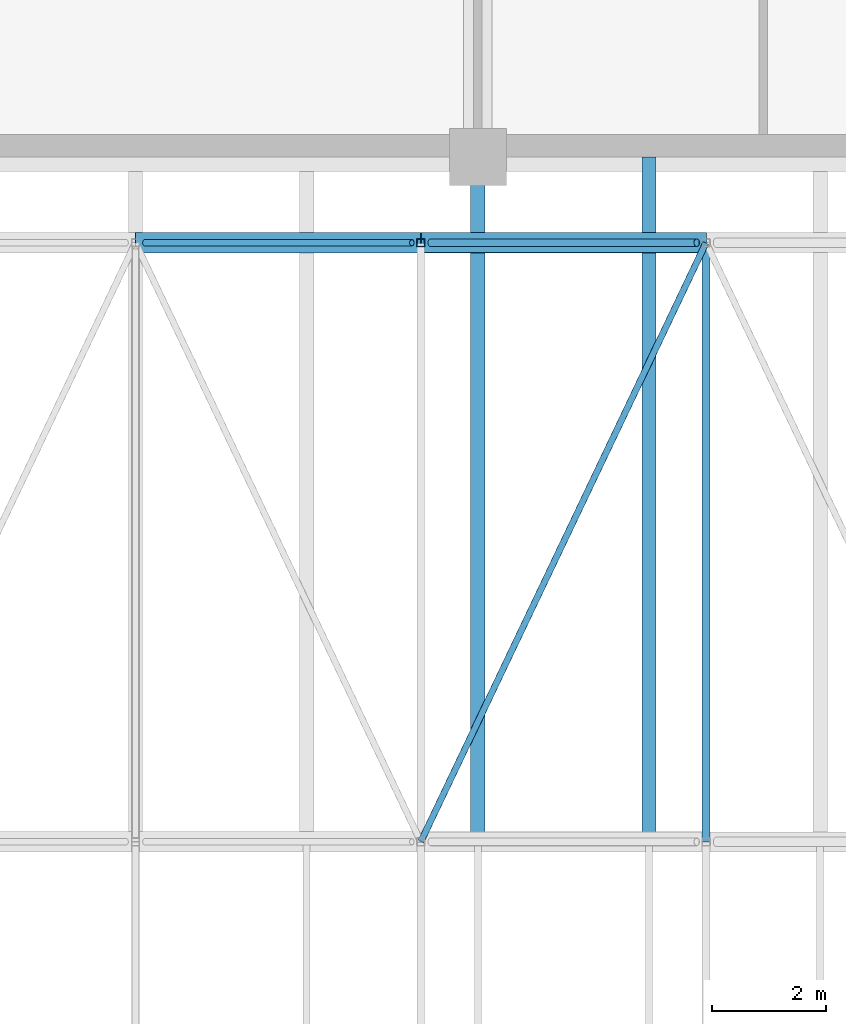
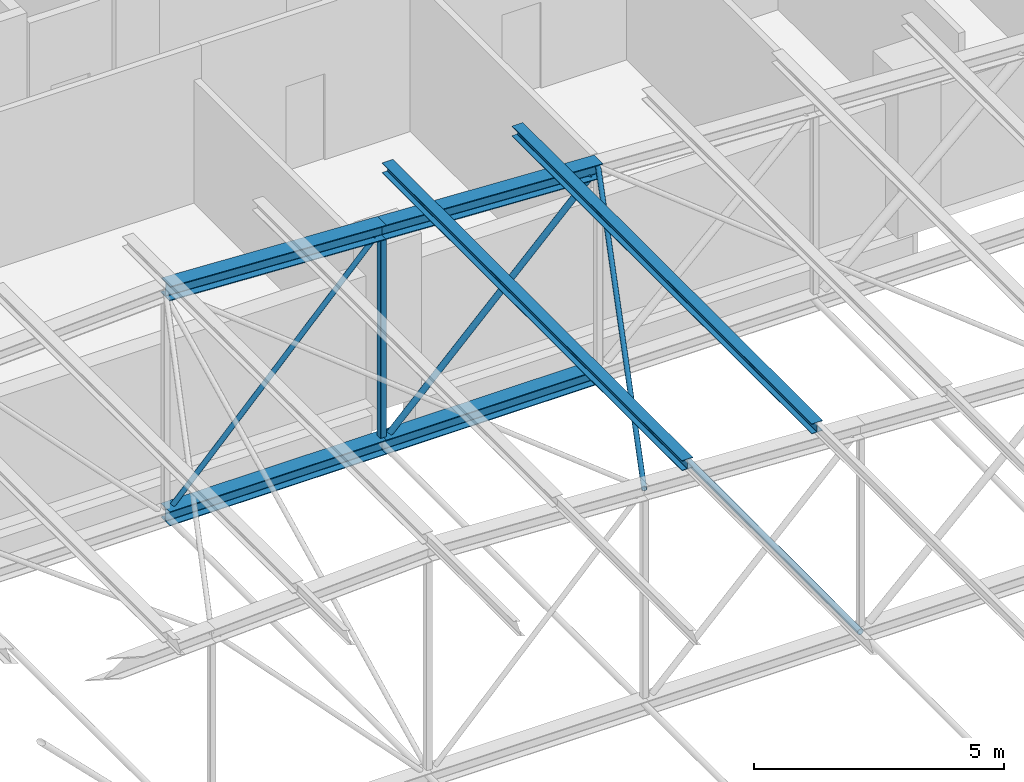
# One storey, part 116 of 156: 11 members.
"""IFC4 building model written with IfcOpenShell, lengths in metres."""

import ifcopenshell
import ifcopenshell.guid

model = None  # the IFC model being written
_history = None  # IfcOwnerHistory: only IFC2X3 demands one
_inside = {}  # id of a spatial element -> (the spatial element, [elements in it])
_under = {}  # id of a project, library or spatial element -> (it, [spatial elements below it])
_declared = {}  # id of a project -> (the project, [libraries it declares])
_typed = {}  # id of a type object -> (the type object, [elements of that type])
_made_of = {}  # id of a material, layer set ... -> (it, [elements and type objects made of it])


def new_model(schema):
    """Start an empty IFC model of exactly this schema.

    Asked for "IFC4X3", IfcOpenShell would pick the latest addendum, in which some entities
    have other attributes; the version numbers below select the first issue.
    IFC2X3 requires an IfcOwnerHistory on every rooted entity: one is made here for all.
    """
    global model, _history
    if schema == "IFC4X3":
        model = ifcopenshell.file(schema_version=(4, 3, 0, 0))
    else:
        model = ifcopenshell.file(schema=schema)
    _inside.clear()
    _under.clear()
    _declared.clear()
    _typed.clear()
    _made_of.clear()
    _history = None
    if model.schema == "IFC2X3":
        org = make("IfcOrganization", Name="unknown")
        user = make(
            "IfcPersonAndOrganization",
            ThePerson=make("IfcPerson", FamilyName="unknown"),
            TheOrganization=org,
        )
        app = make(
            "IfcApplication",
            ApplicationDeveloper=org,
            Version="unknown",
            ApplicationFullName="unknown",
            ApplicationIdentifier="unknown",
        )
        _history = make(
            "IfcOwnerHistory",
            OwningUser=user,
            OwningApplication=app,
            ChangeAction="ADDED",
            CreationDate=0,
        )
    return model


def make(cls, **values):
    """One entity of the class cls with the attributes given. An attribute that is None is left unset."""
    return model.create_entity(
        cls, **{name: value for name, value in values.items() if value is not None}
    )


def rooted(cls, **values):
    """An entity with a GlobalId (a new one), such as an element, a storey or a relation."""
    return make(cls, GlobalId=ifcopenshell.guid.new(), OwnerHistory=_history, **values)


def si_unit(unit_type, name, prefix=None):
    """IfcSIUnit, for example si_unit("LENGTHUNIT", "METRE", prefix="MILLI")."""
    return make("IfcSIUnit", UnitType=unit_type, Prefix=prefix, Name=name)


def assignment(units):
    """IfcUnitAssignment: the units of a project."""
    return None if units is None else make("IfcUnitAssignment", Units=units)


def point(xyz):
    """IfcCartesianPoint."""
    return None if xyz is None else make("IfcCartesianPoint", Coordinates=xyz)


def direction(xyz):
    """IfcDirection."""
    return None if xyz is None else make("IfcDirection", DirectionRatios=xyz)


def frame(location, z_axis=None, x_axis=None):
    """IfcAxis2Placement3D, a coordinate frame: its origin and axes. An axis left out is left unset."""
    return make(
        "IfcAxis2Placement3D",
        Location=point(location),
        Axis=direction(z_axis),
        RefDirection=direction(x_axis),
    )


def frame_2d(location, x_axis=None):
    """IfcAxis2Placement2D, a coordinate frame in the plane: its origin and x axis."""
    return make(
        "IfcAxis2Placement2D", Location=point(location), RefDirection=direction(x_axis)
    )


def origin():
    """The frame at (0, 0, 0) with its axes left unset."""
    return frame((0.0, 0.0, 0.0))


def origin_2d():
    """The frame at (0, 0) in the plane with its x axis left unset."""
    return frame_2d((0.0, 0.0))


def place(relative_to, where):
    """IfcLocalPlacement: puts the frame where relative to a parent placement (None: the world)."""
    return make(
        "IfcLocalPlacement", PlacementRelTo=relative_to, RelativePlacement=where
    )


def context(
    kind, dimensions, precision=None, world=None, true_north=None, identifier=None
):
    """IfcGeometricRepresentationContext, for example the 3D "Model" context."""
    return make(
        "IfcGeometricRepresentationContext",
        ContextIdentifier=identifier,
        ContextType=kind,
        CoordinateSpaceDimension=dimensions,
        Precision=precision,
        WorldCoordinateSystem=world,
        TrueNorth=true_north,
    )


def subcontext(parent, identifier, kind, view, scale=None):
    """IfcGeometricRepresentationSubContext, for example "Body" below "Model"."""
    return make(
        "IfcGeometricRepresentationSubContext",
        ContextIdentifier=identifier,
        ContextType=kind,
        ParentContext=parent,
        TargetScale=scale,
        TargetView=view,
    )


def project(units=None, contexts=None):
    """IfcProject with its units and contexts."""
    return rooted(
        "IfcProject",
        Name="project",
        RepresentationContexts=contexts,
        UnitsInContext=assignment(units),
    )


def spatial(cls, under=None, at=None, **own):
    """A site, building, storey or space (cls), placed at a placement, below another one or the project."""
    s = rooted(cls, ObjectPlacement=at, **own)
    if under is not None:
        _under.setdefault(under.id(), (under, []))[1].append(s)
    return s


def profile(cls, at=None, kind="AREA", **sizes):
    """A parametric profile (cls). Its sizes go by their IFC names, for example OverallWidth=200.0."""
    return make(cls, ProfileType=kind, Position=at, **sizes)


def hollow_rectangle(**sizes):
    """IfcRectangleHollowProfileDef."""
    return profile("IfcRectangleHollowProfileDef", **sizes)


def hollow_circle(**sizes):
    """IfcCircleHollowProfileDef."""
    return profile("IfcCircleHollowProfileDef", **sizes)


def i_section(**sizes):
    """IfcIShapeProfileDef."""
    return profile("IfcIShapeProfileDef", **sizes)


def extrude(swept, where, along, depth):
    """IfcExtrudedAreaSolid: the profile swept, set in the frame where, extruded along a direction by depth."""
    return make(
        "IfcExtrudedAreaSolid",
        SweptArea=swept,
        Position=where,
        ExtrudedDirection=direction(along),
        Depth=depth,
    )


def shape(context_of_items, identifier, shape_type, items):
    """IfcShapeRepresentation: the items that make up one representation, for example the "Body"."""
    return make(
        "IfcShapeRepresentation",
        ContextOfItems=context_of_items,
        RepresentationIdentifier=identifier,
        RepresentationType=shape_type,
        Items=items,
    )


def material(Name=None, Category=None):
    """IfcMaterial."""
    return make("IfcMaterial", Name=Name, Category=Category)


def material_profile(
    of_material, cross_section, Name=None, Category=None, Priority=None
):
    """IfcMaterialProfile: a cross section and its material."""
    return make(
        "IfcMaterialProfile",
        Name=Name,
        Material=of_material,
        Profile=cross_section,
        Priority=Priority,
        Category=Category,
    )


def profile_set(profiles, Name=None, composite=None):
    """IfcMaterialProfileSet."""
    return make(
        "IfcMaterialProfileSet",
        Name=Name,
        MaterialProfiles=profiles,
        CompositeProfile=composite,
    )


def made_of(thing, what):
    """Note that an element or type object is made of a material, layer set ...; save() writes the relation."""
    if what is not None:
        _made_of.setdefault(what.id(), (what, []))[1].append(thing)
    return thing


def type_object(cls, material=None, **own):
    """A type object (cls), such as IfcWallType, which elements share."""
    return made_of(rooted(cls, **own), material)


def element(
    cls,
    number,
    at=None,
    inside=None,
    cuts=None,
    type_object=None,
    material=None,
    context=None,
    identifier="Body",
    shape_type=None,
    held_by="IfcProductDefinitionShape",
    body=None,
    shapes=None,
    **own,
):
    """One element of the class cls, such as IfcWall. Its Tag is "e" and its number.

    at: its placement. inside: the storey or other place that contains it. cuts: it is an
    opening in that element (IfcRelVoidsElement). A single representation is given by context,
    identifier, shape_type and body (its items); several are given by shapes. held_by: the class
    of the entity that holds the representations. save() writes the other relations.
    """
    e = rooted(cls, Tag="e%d" % number, ObjectPlacement=at, **own)
    if body is not None:
        shapes = [shape(context, identifier, shape_type, body)]
    if shapes is not None:
        e.Representation = make(held_by, Representations=shapes)
    if inside is not None:
        _inside.setdefault(inside.id(), (inside, []))[1].append(e)
    if cuts is not None:
        rooted(
            "IfcRelVoidsElement", RelatingBuildingElement=cuts, RelatedOpeningElement=e
        )
    if type_object is not None:
        _typed.setdefault(type_object.id(), (type_object, []))[1].append(e)
    return made_of(e, material)


def aggregate(whole, parts):
    """IfcRelAggregates: a whole, such as a stair, and the parts it consists of."""
    return rooted("IfcRelAggregates", RelatingObject=whole, RelatedObjects=parts)


def save(model, path):
    """Write the relations noted so far, then the file.

    IfcRelAggregates (storeys below a building ...), IfcRelContainedInSpatialStructure (elements
    in a storey), IfcRelDefinesByType, IfcRelAssociatesMaterial and IfcRelDeclares: one each for
    every whole, place, type object, material and project.
    """
    for whole, parts in _under.values():
        aggregate(whole, parts)
    for where, things in _inside.values():
        rooted(
            "IfcRelContainedInSpatialStructure",
            RelatedElements=things,
            RelatingStructure=where,
        )
    for kind, things in _typed.values():
        rooted("IfcRelDefinesByType", RelatedObjects=things, RelatingType=kind)
    for what, things in _made_of.values():
        rooted("IfcRelAssociatesMaterial", RelatedObjects=things, RelatingMaterial=what)
    for by, libraries in _declared.values():
        rooted("IfcRelDeclares", RelatingContext=by, RelatedDefinitions=libraries)
    model.write(path)


model = new_model("IFC4")

# Units and contexts
model_context = context("Model", 3, precision=1e-05, world=origin(), true_north=direction((0.0, 1.0)))
body_context = subcontext(model_context, "Body", "Model", "MODEL_VIEW")
ifc_project = project(units=[si_unit("LENGTHUNIT", "METRE"), si_unit("AREAUNIT", "SQUARE_METRE"), si_unit("VOLUMEUNIT", "CUBIC_METRE"), si_unit("PLANEANGLEUNIT", "RADIAN"), si_unit("MASSUNIT", "GRAM", prefix="KILO")], contexts=[model_context])

# Site, building, storey
site_placement = place(None, origin())
site = spatial("IfcSite", under=ifc_project, at=site_placement, CompositionType="ELEMENT")
building_placement = place(site_placement, origin())
building = spatial("IfcBuilding", under=site, at=building_placement, Name="Lilac Gate Convention Centre", CompositionType="ELEMENT")
storey_placement = place(building_placement, frame((0.0, 0.0, 17.0)))
storey = spatial("IfcBuildingStorey", under=building, at=storey_placement, Name="L03", CompositionType="ELEMENT", Elevation=17.0)

# Members
ifc_material = material(Name="Steel Q355B", Category="steel")
ifc_material_profile_1 = material_profile(ifc_material, hollow_circle(Radius=0.06982421875, WallThickness=0.0048828125, at=origin_2d()), Name="CHS139.7x5")
ifc_profile_set_1 = profile_set([ifc_material_profile_1], Name="Steel Q355B")
member_type_1 = type_object("IfcMemberType", Name="Bottom chord tie CHS139.7x5", PredefinedType="STRUT", material=ifc_profile_set_1)
member_1_placement = place(storey_placement, frame((70.0, 210.006103515625, 0.0), z_axis=(0.0, 1.0, 0.0), x_axis=(-1.0, 0.0, 0.0)))
element("IfcMember", 1, at=member_1_placement, inside=storey, type_object=member_type_1, Name="ST1 tie bay 16 node 9", PredefinedType="STRUT", context=body_context, shape_type="SweptSolid", body=[
    extrude(hollow_circle(Radius=0.06982421875, WallThickness=0.0048828125, at=origin_2d()), origin(), (0.0, 0.0, 1.0), 10.48779296875),
])
ifc_material_profile_2 = material_profile(ifc_material, hollow_circle(Radius=0.05712890625, WallThickness=0.0048828125, at=origin_2d()), Name="CHS114.3x5")
ifc_profile_set_2 = profile_set([ifc_material_profile_2], Name="Steel Q355B")
member_type_2 = type_object("IfcMemberType", Name="Roof plane bracing CHS114.3x5", PredefinedType="BRACE", material=ifc_profile_set_2)
member_2_placement = place(storey_placement, frame((65.0029296875, 210.006103515625, 5.25), z_axis=(0.429830782979, 0.902653049237, -0.021516754095), x_axis=(-0.902862072779, 0.429930317072, 0.0)))
element("IfcMember", 2, at=member_2_placement, inside=storey, type_object=member_type_2, Name="BR1 plan bracing bay 16 panel 8", PredefinedType="BRACE", context=body_context, shape_type="SweptSolid", body=[
    extrude(hollow_circle(Radius=0.05712890625, WallThickness=0.0048828125, at=origin_2d()), origin(), (0.0, 0.0, 1.0), 11.618896484375),
])
ifc_material_profile_3 = material_profile(ifc_material, i_section(OverallWidth=0.25, OverallDepth=0.25, WebThickness=0.009033203125, FlangeThickness=0.013916015625, FilletRadius=0.012939453125, at=origin_2d()), Name="HW250x250x9x14")
ifc_profile_set_3 = profile_set([ifc_material_profile_3], Name="Steel Q355B")
member_type_3 = type_object("IfcMemberType", Name="Roof purlin HW250x250x9x14", PredefinedType="PURLIN", material=ifc_profile_set_3)
for number, where, z_axis, x_axis, name in (
    (3, (66.0, 210.0, 5.500244140625), (0.0, 1.0, 0.0), (-1.0, 0.0, 0.0), "PU1 purlin bay 16 line 13"),
    (4, (69.0, 210.0, 5.35009765625), (0.0, 1.0, 0.0), (-1.0, 0.0, 0.0), "PU1 purlin bay 16 line 14"),
):
    element("IfcMember", number, at=place(storey_placement, frame(where, z_axis=z_axis, x_axis=x_axis)), inside=storey, type_object=member_type_3, Name=name, PredefinedType="PURLIN", context=body_context, shape_type="SweptSolid", body=[
        extrude(i_section(OverallWidth=0.25, OverallDepth=0.25, WebThickness=0.009033203125, FlangeThickness=0.013916015625, FilletRadius=0.012939453125, at=origin_2d()), origin(), (0.0, 0.0, 1.0), 12.0),
    ])
ifc_material_profile_4 = material_profile(ifc_material, i_section(OverallWidth=0.35693359375, OverallDepth=0.35009765625, WebThickness=0.01904296875, FlangeThickness=0.01904296875, FilletRadius=0.012939453125, at=origin_2d()), Name="HW350x357x19x19")
ifc_profile_set_4 = profile_set([ifc_material_profile_4], Name="Steel Q355B")
member_type_4 = type_object("IfcMemberType", Name="Truss bottom chord HW350x357x19x19", PredefinedType="CHORD", material=ifc_profile_set_4)
for number, where, z_axis, x_axis, name in (
    (5, (60.0, 220.5, 0.0), (1.0, 0.0, 0.0), (0.0, 1.0, 0.0), "TB3 truss 17 bottom chord 7"),
    (6, (65.0, 220.5, 0.0), (1.0, 0.0, 0.0), (0.0, 1.0, 0.0), "TB3 truss 17 bottom chord 8"),
):
    element("IfcMember", number, at=place(storey_placement, frame(where, z_axis=z_axis, x_axis=x_axis)), inside=storey, type_object=member_type_4, Name=name, PredefinedType="CHORD", context=body_context, shape_type="SweptSolid", body=[
        extrude(i_section(OverallWidth=0.35693359375, OverallDepth=0.35009765625, WebThickness=0.01904296875, FlangeThickness=0.01904296875, FilletRadius=0.012939453125, at=origin_2d()), origin(), (0.0, 0.0, 1.0), 5.0),
    ])
ifc_material_profile_5 = material_profile(ifc_material, hollow_circle(Radius=0.05712890625, WallThickness=0.0048828125, at=origin_2d()), Name="CHS114.3x5")
ifc_profile_set_5 = profile_set([ifc_material_profile_5], Name="Steel Q355B")
member_type_5 = type_object("IfcMemberType", Name="Truss diagonal CHS114.3x5", PredefinedType="BRACE", material=ifc_profile_set_5)
member_3_placement = place(storey_placement, frame((64.843505859375, 220.5, 5.085693359375), z_axis=(-0.6896515765, 0.0, -0.724141355697), x_axis=(0.0, -1.0, 0.0)))
element("IfcMember", 7, at=member_3_placement, inside=storey, type_object=member_type_5, Name="TW6 truss 17 diagonal 7", PredefinedType="BRACE", context=body_context, shape_type="SweptSolid", body=[
    extrude(hollow_circle(Radius=0.05712890625, WallThickness=0.0048828125, at=origin_2d()), origin(), (0.0, 0.0, 1.0), 6.78125),
])
ifc_material_profile_6 = material_profile(ifc_material, hollow_circle(Radius=0.06982421875, WallThickness=0.006103515625, at=origin_2d()), Name="CHS139.7x6")
ifc_profile_set_6 = profile_set([ifc_material_profile_6], Name="Steel Q355B")
member_type_6 = type_object("IfcMemberType", Name="Truss diagonal CHS139.7x6", PredefinedType="BRACE", material=ifc_profile_set_6)
member_4_placement = place(storey_placement, frame((69.835693359375, 220.5, 4.835693359375), z_axis=(-0.707106781187, 0.0, -0.707106781187), x_axis=(0.0, -1.0, 0.0)))
element("IfcMember", 8, at=member_4_placement, inside=storey, type_object=member_type_6, Name="TW5 truss 17 diagonal 8", PredefinedType="BRACE", context=body_context, shape_type="SweptSolid", body=[
    extrude(hollow_circle(Radius=0.06982421875, WallThickness=0.006103515625, at=origin_2d()), origin(), (0.0, 0.0, 1.0), 6.591064453125),
])
ifc_material_profile_7 = material_profile(ifc_material, i_section(OverallWidth=0.35009765625, OverallDepth=0.35009765625, WebThickness=0.011962890625, FlangeThickness=0.01904296875, FilletRadius=0.012939453125, at=origin_2d()), Name="HW350x350x12x19")
ifc_profile_set_7 = profile_set([ifc_material_profile_7], Name="Steel Q355B")
member_type_7 = type_object("IfcMemberType", Name="Truss top chord HW350x350x12x19", PredefinedType="CHORD", material=ifc_profile_set_7)
member_5_placement = place(storey_placement, frame((65.0, 220.5, 5.25), z_axis=(0.998752338878, 0.0, -0.049937616944), x_axis=(0.0, 1.0, 0.0)))
element("IfcMember", 9, at=member_5_placement, inside=storey, type_object=member_type_7, Name="TT2 truss 17 top chord 8", PredefinedType="CHORD", context=body_context, shape_type="SweptSolid", body=[
    extrude(i_section(OverallWidth=0.35009765625, OverallDepth=0.35009765625, WebThickness=0.011962890625, FlangeThickness=0.01904296875, FilletRadius=0.012939453125, at=origin_2d()), origin(), (0.0, 0.0, 1.0), 5.00634765625),
])
ifc_material_profile_8 = material_profile(ifc_material, i_section(OverallWidth=0.35693359375, OverallDepth=0.35009765625, WebThickness=0.01904296875, FlangeThickness=0.01904296875, FilletRadius=0.012939453125, at=origin_2d()), Name="HW350x357x19x19")
ifc_profile_set_8 = profile_set([ifc_material_profile_8], Name="Steel Q355B")
member_type_8 = type_object("IfcMemberType", Name="Truss top chord HW350x357x19x19", PredefinedType="CHORD", material=ifc_profile_set_8)
member_6_placement = place(storey_placement, frame((60.0, 220.5, 5.5), z_axis=(0.998752338878, 0.0, -0.049937616944), x_axis=(0.0, 1.0, 0.0)))
element("IfcMember", 10, at=member_6_placement, inside=storey, type_object=member_type_8, Name="TT3 truss 17 top chord 7", PredefinedType="CHORD", context=body_context, shape_type="SweptSolid", body=[
    extrude(i_section(OverallWidth=0.35693359375, OverallDepth=0.35009765625, WebThickness=0.01904296875, FlangeThickness=0.01904296875, FilletRadius=0.012939453125, at=origin_2d()), origin(), (0.0, 0.0, 1.0), 5.00634765625),
])
ifc_material_profile_9 = material_profile(ifc_material, hollow_rectangle(XDim=0.139892578125, YDim=0.139892578125, WallThickness=0.0048828125, InnerFilletRadius=0.0048828125, OuterFilletRadius=0.010009765625, at=origin_2d()), Name="SHS140x140x5")
ifc_profile_set_9 = profile_set([ifc_material_profile_9], Name="Steel Q355B")
member_type_9 = type_object("IfcMemberType", Name="Truss vertical SHS140x140x5", PredefinedType="STRUT", material=ifc_profile_set_9)
member_7_placement = place(storey_placement, frame((65.0, 220.5, 0.175048828125), z_axis=(0.0, 0.0, 1.0), x_axis=(1.0, 0.0, 0.0)))
element("IfcMember", 11, at=member_7_placement, inside=storey, type_object=member_type_9, Name="TV4 truss 17 vertical 8", PredefinedType="STRUT", context=body_context, shape_type="SweptSolid", body=[
    extrude(hollow_rectangle(XDim=0.139892578125, YDim=0.139892578125, WallThickness=0.0048828125, InnerFilletRadius=0.0048828125, OuterFilletRadius=0.010009765625, at=origin_2d()), origin(), (0.0, 0.0, 1.0), 4.899658203125),
])

save(model, "model.ifc")
